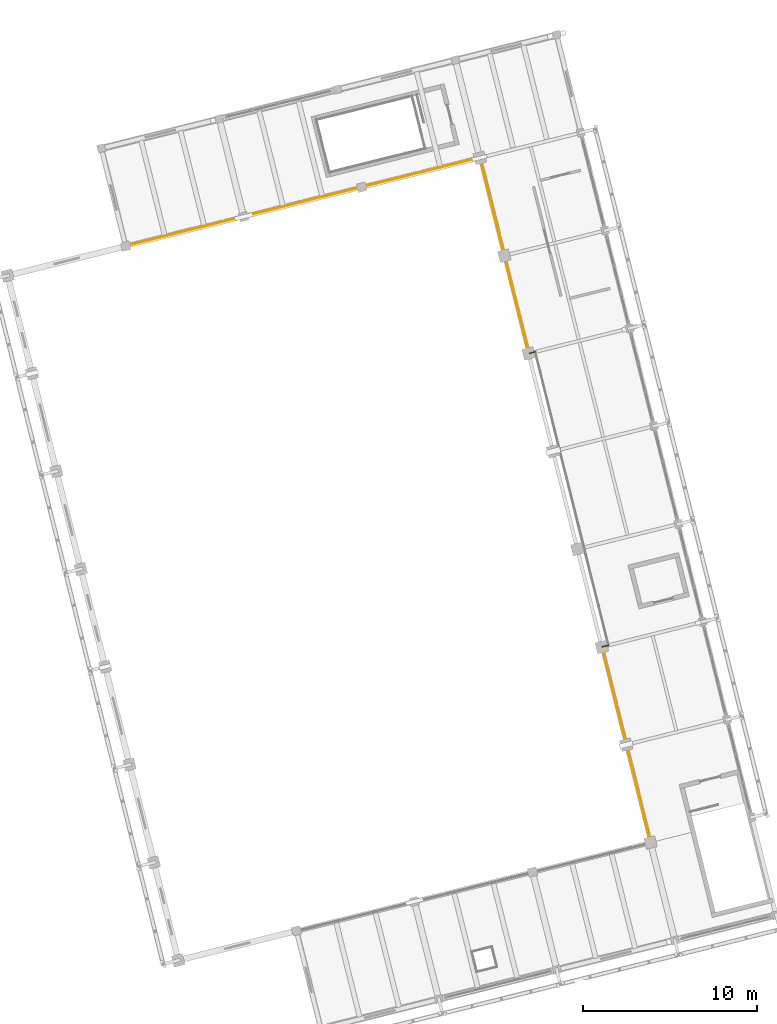
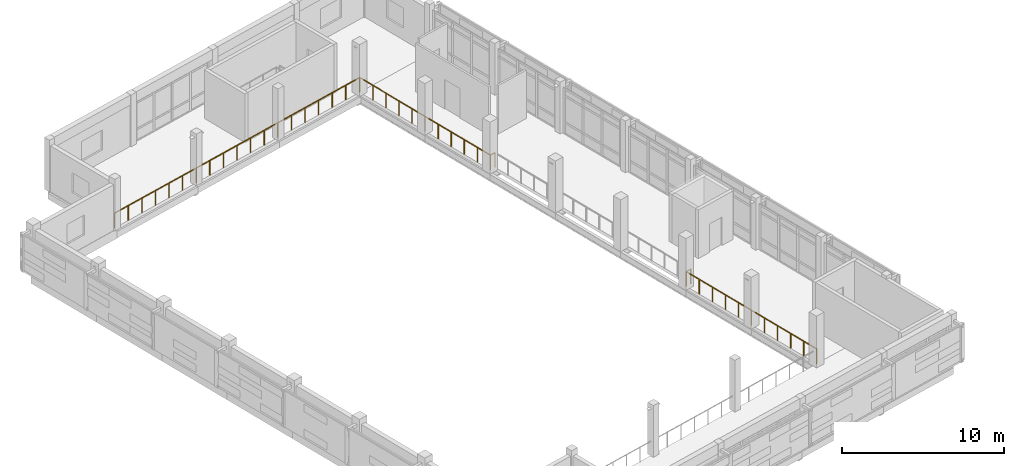
# One storey, part 108 of 117: 5 railings.
"""IFC4 building model written with IfcOpenShell, lengths in metres."""

from ifc_helpers import new_model, si_unit, direction, frame, origin, origin_2d, place, context, subcontext, project, spatial, circle, extrude, material, type_object, element, save


model = new_model("IFC4")

# Units and contexts
model_context = context("Model", 3, precision=1e-05, world=origin(), true_north=direction((0.0, 1.0)))
body_context = subcontext(model_context, "Body", "Model", "MODEL_VIEW")
ifc_project = project(units=[si_unit("LENGTHUNIT", "METRE"), si_unit("AREAUNIT", "SQUARE_METRE"), si_unit("VOLUMEUNIT", "CUBIC_METRE"), si_unit("PLANEANGLEUNIT", "RADIAN"), si_unit("MASSUNIT", "GRAM", prefix="KILO")], contexts=[model_context])

# Site, building, storey
site_placement = place(None, origin())
site = spatial("IfcSite", under=ifc_project, at=site_placement, CompositionType="ELEMENT")
building_placement = place(site_placement, origin())
building = spatial("IfcBuilding", under=site, at=building_placement, Name="Cinderway Yard Community Centre", CompositionType="ELEMENT")
storey_placement = place(building_placement, frame((0.0, 0.0, 9.0)))
storey = spatial("IfcBuildingStorey", under=building, at=storey_placement, Name="L02", CompositionType="ELEMENT", Elevation=9.0)

# Railings
ifc_material = material(Name="Painted Galvanised Steel", Category="steel")
railing_type = type_object("IfcRailingType", Name="INT-RAL-BAL112", PredefinedType="BALUSTRADE", material=ifc_material)
railing_1_placement = place(storey_placement, frame((46.9970703125, 31.89599609375, 0.0)))
element("IfcRailing", 1, at=railing_1_placement, inside=storey, type_object=railing_type, Name="Main Hall Balcony Guard L02 014", PredefinedType="BALUSTRADE", context=body_context, shape_type="SweptSolid", body=[
    extrude(circle(Radius=0.02392578125, at=origin_2d()), frame((0.0, 0.0, 1.09619140625), z_axis=(-0.241921480834, 0.970295829689, 0.0), x_axis=(-0.970295829689, -0.241921480834, 0.0)), (0.0, 0.0, 1.0), 11.599365234375),
    extrude(circle(Radius=0.02099609375, at=origin_2d()), origin(), (0.0, 0.0, 1.0), 1.072021484375),
    extrude(circle(Radius=0.02099609375, at=origin_2d()), frame((-0.280517578125, 1.12548828125, 0.0)), (0.0, 0.0, 1.0), 1.072021484375),
    extrude(circle(Radius=0.02099609375, at=origin_2d()), frame((-0.561279296875, 2.2509765625, 0.0)), (0.0, 0.0, 1.0), 1.072021484375),
    extrude(circle(Radius=0.02099609375, at=origin_2d()), frame((-0.841796875, 3.37646484375, 0.0)), (0.0, 0.0, 1.0), 1.072021484375),
    extrude(circle(Radius=0.02099609375, at=origin_2d()), frame((-1.12255859375, 4.501953125, 0.0)), (0.0, 0.0, 1.0), 1.072021484375),
    extrude(circle(Radius=0.02099609375, at=origin_2d()), frame((-1.403076171875, 5.62744140625, 0.0)), (0.0, 0.0, 1.0), 1.072021484375),
    extrude(circle(Radius=0.02099609375, at=origin_2d()), frame((-1.68359375, 6.7529296875, 0.0)), (0.0, 0.0, 1.0), 1.072021484375),
    extrude(circle(Radius=0.02099609375, at=origin_2d()), frame((-1.96435546875, 7.87841796875, 0.0)), (0.0, 0.0, 1.0), 1.072021484375),
    extrude(circle(Radius=0.02099609375, at=origin_2d()), frame((-2.244873046875, 9.00390625, 0.0)), (0.0, 0.0, 1.0), 1.072021484375),
    extrude(circle(Radius=0.02099609375, at=origin_2d()), frame((-2.525634765625, 10.12939453125, 0.0)), (0.0, 0.0, 1.0), 1.072021484375),
    extrude(circle(Radius=0.02099609375, at=origin_2d()), frame((-2.80615234375, 11.2548828125, 0.0)), (0.0, 0.0, 1.0), 1.072021484375),
])
railing_2_placement = place(storey_placement, frame((44.19091796875, 43.15087890625, 0.0)))
element("IfcRailing", 2, at=railing_2_placement, inside=storey, type_object=railing_type, Name="Main Hall Balcony Guard L02 015", PredefinedType="BALUSTRADE", context=body_context, shape_type="SweptSolid", body=[
    extrude(circle(Radius=0.02392578125, at=origin_2d()), frame((0.0, 0.0, 1.09619140625), z_axis=(0.970293307049, 0.241931598384, 0.0), x_axis=(-0.241931598384, 0.970293307049, 0.0)), (0.0, 0.0, 1.0), 0.38037109375),
    extrude(circle(Radius=0.02099609375, at=origin_2d()), origin(), (0.0, 0.0, 1.0), 1.072021484375),
    extrude(circle(Radius=0.02099609375, at=origin_2d()), frame((0.369140625, 0.092041015625, 0.0)), (0.0, 0.0, 1.0), 1.072021484375),
])
railing_3_placement = place(storey_placement, frame((40.35009765625, 60.1259765625, 0.0)))
element("IfcRailing", 3, at=railing_3_placement, inside=storey, type_object=railing_type, Name="Main Hall Balcony Guard L02 017", PredefinedType="BALUSTRADE", context=body_context, shape_type="SweptSolid", body=[
    extrude(circle(Radius=0.02392578125, at=origin_2d()), frame((0.0, 0.0, 1.09619140625), z_axis=(-0.970293307049, -0.241931598384, 0.0), x_axis=(0.241931598384, -0.970293307049, 0.0)), (0.0, 0.0, 1.0), 0.38037109375),
    extrude(circle(Radius=0.02099609375, at=origin_2d()), origin(), (0.0, 0.0, 1.0), 1.072021484375),
    extrude(circle(Radius=0.02099609375, at=origin_2d()), frame((-0.369140625, -0.092041015625, 0.0)), (0.0, 0.0, 1.0), 1.072021484375),
])
railing_4_placement = place(storey_placement, frame((39.98095703125, 60.033935546875, 0.0)))
element("IfcRailing", 4, at=railing_4_placement, inside=storey, type_object=railing_type, Name="Main Hall Balcony Guard L02 018", PredefinedType="BALUSTRADE", context=body_context, shape_type="SweptSolid", body=[
    extrude(circle(Radius=0.02392578125, at=origin_2d()), frame((0.0, 0.0, 1.09619140625), z_axis=(-0.241876965978, 0.970306927384, 0.0), x_axis=(-0.970306927384, -0.241876965978, 0.0)), (0.0, 0.0, 1.0), 11.6005859375),
    extrude(circle(Radius=0.02099609375, at=origin_2d()), origin(), (0.0, 0.0, 1.0), 1.072021484375),
    extrude(circle(Radius=0.02099609375, at=origin_2d()), frame((-0.280517578125, 1.12548828125, 0.0)), (0.0, 0.0, 1.0), 1.072021484375),
    extrude(circle(Radius=0.02099609375, at=origin_2d()), frame((-0.561279296875, 2.251220703125, 0.0)), (0.0, 0.0, 1.0), 1.072021484375),
    extrude(circle(Radius=0.02099609375, at=origin_2d()), frame((-0.841796875, 3.376953125, 0.0)), (0.0, 0.0, 1.0), 1.072021484375),
    extrude(circle(Radius=0.02099609375, at=origin_2d()), frame((-1.122314453125, 4.50244140625, 0.0)), (0.0, 0.0, 1.0), 1.072021484375),
    extrude(circle(Radius=0.02099609375, at=origin_2d()), frame((-1.40283203125, 5.6279296875, 0.0)), (0.0, 0.0, 1.0), 1.072021484375),
    extrude(circle(Radius=0.02099609375, at=origin_2d()), frame((-1.68359375, 6.753662109375, 0.0)), (0.0, 0.0, 1.0), 1.072021484375),
    extrude(circle(Radius=0.02099609375, at=origin_2d()), frame((-1.964111328125, 7.879150390625, 0.0)), (0.0, 0.0, 1.0), 1.072021484375),
    extrude(circle(Radius=0.02099609375, at=origin_2d()), frame((-2.24462890625, 9.0048828125, 0.0)), (0.0, 0.0, 1.0), 1.072021484375),
    extrude(circle(Radius=0.02099609375, at=origin_2d()), frame((-2.525390625, 10.13037109375, 0.0)), (0.0, 0.0, 1.0), 1.072021484375),
    extrude(circle(Radius=0.02099609375, at=origin_2d()), frame((-2.805908203125, 11.256103515625, 0.0)), (0.0, 0.0, 1.0), 1.072021484375),
])
railing_5_placement = place(storey_placement, frame((16.77490234375, 66.22412109375, 0.0)))
element("IfcRailing", 5, at=railing_5_placement, inside=storey, type_object=railing_type, Name="Choir Balcony Guard L02 020", PredefinedType="BALUSTRADE", context=body_context, shape_type="SweptSolid", body=[
    extrude(circle(Radius=0.02392578125, at=origin_2d()), frame((0.0, 0.0, 1.09619140625), z_axis=(0.970300952451, 0.241900933593, 0.0), x_axis=(-0.241900933593, 0.970300952451, 0.0)), (0.0, 0.0, 1.0), 20.999755859375),
    extrude(circle(Radius=0.02099609375, at=origin_2d()), origin(), (0.0, 0.0, 1.0), 1.072021484375),
    extrude(circle(Radius=0.02099609375, at=origin_2d()), frame((1.132080078125, 0.2822265625, 0.0)), (0.0, 0.0, 1.0), 1.072021484375),
    extrude(circle(Radius=0.02099609375, at=origin_2d()), frame((2.263916015625, 0.564453125, 0.0)), (0.0, 0.0, 1.0), 1.072021484375),
    extrude(circle(Radius=0.02099609375, at=origin_2d()), frame((3.39599609375, 0.8466796875, 0.0)), (0.0, 0.0, 1.0), 1.072021484375),
    extrude(circle(Radius=0.02099609375, at=origin_2d()), frame((4.528076171875, 1.12890625, 0.0)), (0.0, 0.0, 1.0), 1.072021484375),
    extrude(circle(Radius=0.02099609375, at=origin_2d()), frame((5.659912109375, 1.4111328125, 0.0)), (0.0, 0.0, 1.0), 1.072021484375),
    extrude(circle(Radius=0.02099609375, at=origin_2d()), frame((6.7919921875, 1.693359375, 0.0)), (0.0, 0.0, 1.0), 1.072021484375),
    extrude(circle(Radius=0.02099609375, at=origin_2d()), frame((7.924072265625, 1.9755859375, 0.0)), (0.0, 0.0, 1.0), 1.072021484375),
    extrude(circle(Radius=0.02099609375, at=origin_2d()), frame((9.055908203125, 2.2578125, 0.0)), (0.0, 0.0, 1.0), 1.072021484375),
    extrude(circle(Radius=0.02099609375, at=origin_2d()), frame((10.18798828125, 2.5400390625, 0.0)), (0.0, 0.0, 1.0), 1.072021484375),
    extrude(circle(Radius=0.02099609375, at=origin_2d()), frame((11.320068359375, 2.822021484375, 0.0)), (0.0, 0.0, 1.0), 1.072021484375),
    extrude(circle(Radius=0.02099609375, at=origin_2d()), frame((12.451904296875, 3.104248046875, 0.0)), (0.0, 0.0, 1.0), 1.072021484375),
    extrude(circle(Radius=0.02099609375, at=origin_2d()), frame((13.583984375, 3.386474609375, 0.0)), (0.0, 0.0, 1.0), 1.072021484375),
    extrude(circle(Radius=0.02099609375, at=origin_2d()), frame((14.716064453125, 3.668701171875, 0.0)), (0.0, 0.0, 1.0), 1.072021484375),
    extrude(circle(Radius=0.02099609375, at=origin_2d()), frame((15.847900390625, 3.950927734375, 0.0)), (0.0, 0.0, 1.0), 1.072021484375),
    extrude(circle(Radius=0.02099609375, at=origin_2d()), frame((16.97998046875, 4.233154296875, 0.0)), (0.0, 0.0, 1.0), 1.072021484375),
    extrude(circle(Radius=0.02099609375, at=origin_2d()), frame((18.112060546875, 4.515380859375, 0.0)), (0.0, 0.0, 1.0), 1.072021484375),
    extrude(circle(Radius=0.02099609375, at=origin_2d()), frame((19.243896484375, 4.797607421875, 0.0)), (0.0, 0.0, 1.0), 1.072021484375),
    extrude(circle(Radius=0.02099609375, at=origin_2d()), frame((20.3759765625, 5.079833984375, 0.0)), (0.0, 0.0, 1.0), 1.072021484375),
])

save(model, "model.ifc")
